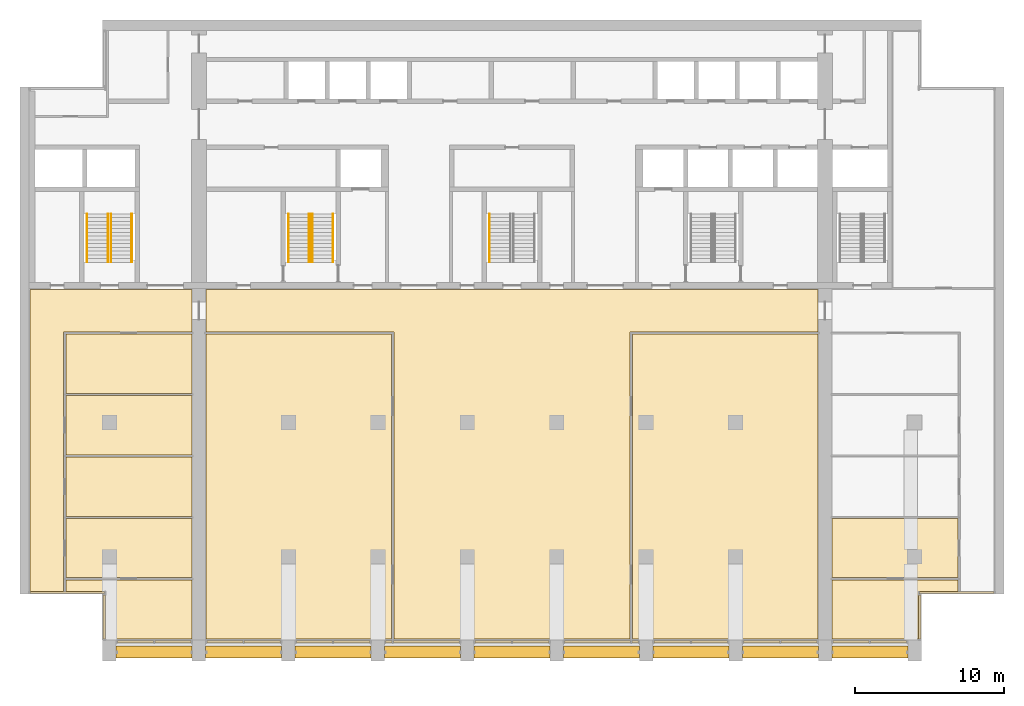
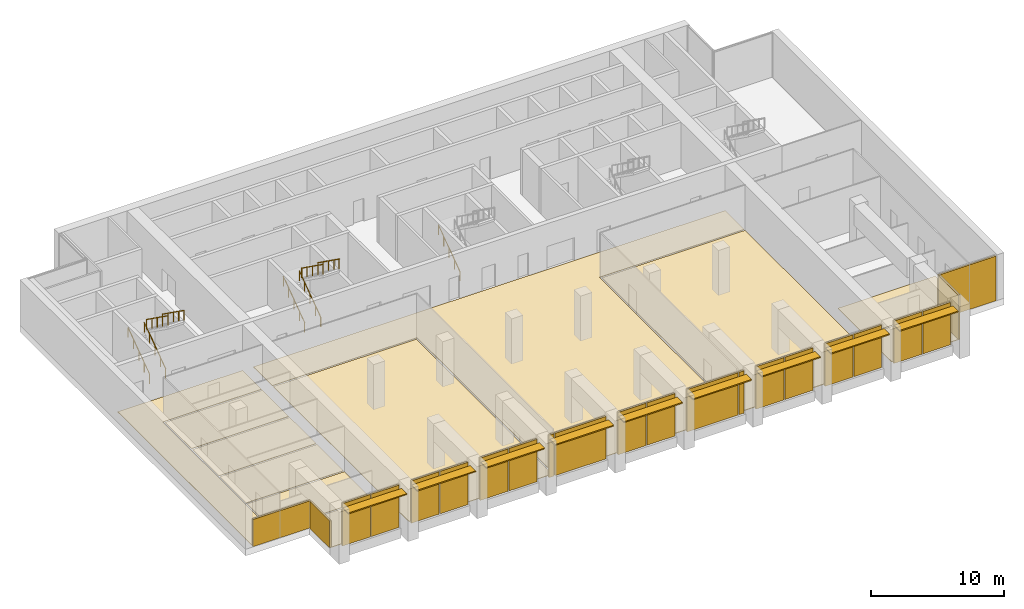
# One storey, part 12 of 13: 31 shading devices, 11 coverings, 9 railings, 16 elements without a shape of their own.
"""IFC4 building model written with IfcOpenShell, lengths in metres."""

from ifc_helpers import new_model, si_unit, direction, frame, origin, origin_2d, place, context, subcontext, project, spatial, polyline, rectangle, circle, outline, extrude, material, layer, layer_set, material_profile, profile_set, type_object, element, aggregate, save


model = new_model("IFC4")

# Units and contexts
model_context = context("Model", 3, precision=1e-05, world=origin(), true_north=direction((0.0, 1.0)))
body_context = subcontext(model_context, "Body", "Model", "MODEL_VIEW")
ifc_project = project(units=[si_unit("LENGTHUNIT", "METRE"), si_unit("AREAUNIT", "SQUARE_METRE"), si_unit("VOLUMEUNIT", "CUBIC_METRE"), si_unit("PLANEANGLEUNIT", "RADIAN"), si_unit("MASSUNIT", "GRAM", prefix="KILO")], contexts=[model_context])

# Site, building, storey
site_placement = place(None, origin())
site = spatial("IfcSite", under=ifc_project, at=site_placement, CompositionType="ELEMENT")
building_placement = place(site_placement, origin())
building = spatial("IfcBuilding", under=site, at=building_placement, Name="Calvaro Tower", CompositionType="ELEMENT")
storey_placement = place(building_placement, frame((0.0, 0.0, 226.75)))
storey = spatial("IfcBuildingStorey", under=building, at=storey_placement, Name="L57", CompositionType="ELEMENT", Elevation=226.75)

# Shading devices
ifc_material_1 = material(Name="Anodised aluminium", Category="aluminium")
ifc_material_profile = material_profile(ifc_material_1, rectangle(XDim=0.800048828125, YDim=0.10009765625, at=origin_2d()), Name="Brise-soleil blade 800 x 100")
ifc_profile_set = profile_set([ifc_material_profile], Name="Anodised aluminium")
shading_device_type_1 = type_object("IfcShadingDeviceType", Name="Brise-soleil blade 800 x 100", PredefinedType="JALOUSIE", material=ifc_profile_set)
for number, where, z_axis, x_axis, name in (
    (1, (12.449951171875, 3.60009765625, 3.64990234375), (1.0, 0.0, 0.0), (0.0, 1.0, 0.0), "Brise-soleil blade 1"),
    (2, (18.449951171875, 3.60009765625, 3.64990234375), (1.0, 0.0, 0.0), (0.0, 1.0, 0.0), "Brise-soleil blade 2"),
    (3, (24.449951171875, 3.60009765625, 3.64990234375), (1.0, 0.0, 0.0), (0.0, 1.0, 0.0), "Brise-soleil blade 3"),
    (4, (30.449951171875, 3.60009765625, 3.64990234375), (1.0, 0.0, 0.0), (0.0, 1.0, 0.0), "Brise-soleil blade 4"),
    (5, (36.449951171875, 3.60009765625, 3.64990234375), (1.0, 0.0, 0.0), (0.0, 1.0, 0.0), "Brise-soleil blade 5"),
    (6, (42.449951171875, 3.60009765625, 3.64990234375), (1.0, 0.0, 0.0), (0.0, 1.0, 0.0), "Brise-soleil blade 6"),
    (7, (48.449951171875, 3.60009765625, 3.64990234375), (1.0, 0.0, 0.0), (0.0, 1.0, 0.0), "Brise-soleil blade 7"),
    (8, (54.449951171875, 3.60009765625, 3.64990234375), (1.0, 0.0, 0.0), (0.0, 1.0, 0.0), "Brise-soleil blade 8"),
    (9, (60.449951171875, 3.60009765625, 3.64990234375), (1.0, 0.0, 0.0), (0.0, 1.0, 0.0), "Brise-soleil blade 9"),
):
    element("IfcShadingDevice", number, at=place(storey_placement, frame(where, z_axis=z_axis, x_axis=x_axis)), inside=storey, type_object=shading_device_type_1, Name=name, PredefinedType="JALOUSIE", context=body_context, shape_type="SweptSolid", body=[
        extrude(rectangle(XDim=0.800048828125, YDim=0.10009765625, at=origin_2d()), origin(), (0.0, 0.0, 1.0), 5.10009765625),
    ])

# Coverings
ifc_material_2 = material(Name="Cement screed with carpet tile finish")
ifc_layer_1 = layer(ifc_material_2, 0.050048828125)
ifc_layer_set_1 = layer_set([ifc_layer_1], Name="Cement screed with carpet tile finish")
covering_type = type_object("IfcCoveringType", Name="Floor finish 50", PredefinedType="FLOORING", material=ifc_layer_set_1)
covering_1_placement = place(storey_placement, origin())
element("IfcCovering", 10, at=covering_1_placement, inside=storey, type_object=covering_type, Name="Floor finish 33.01", PredefinedType="FLOORING", context=body_context, shape_type="SweptSolid", body=[
    extrude(outline(polyline([(31.070068359375, 4.469970703125), (31.070068359375, 25.070068359375), (18.469970703125, 25.070068359375), (18.469970703125, 27.929931640625), (59.530029296875, 27.929931640625), (59.530029296875, 25.070068359375), (46.929931640625, 25.070068359375), (46.929931640625, 4.469970703125), (31.070068359375, 4.469970703125)])), origin(), (0.0, 0.0, 1.0), 0.050048828125),
])
covering_2_placement = place(storey_placement, origin())
element("IfcCovering", 11, at=covering_2_placement, inside=storey, type_object=covering_type, Name="Floor finish 33.09", PredefinedType="FLOORING", context=body_context, shape_type="SweptSolid", body=[
    extrude(outline(polyline([(18.469970703125, 24.929931640625), (30.929931640625, 24.929931640625), (30.929931640625, 4.469970703125), (18.469970703125, 4.469970703125), (18.469970703125, 24.929931640625)])), origin(), (0.0, 0.0, 1.0), 0.050048828125),
])
covering_3_placement = place(storey_placement, origin())
element("IfcCovering", 12, at=covering_3_placement, inside=storey, type_object=covering_type, Name="Floor finish 33.10", PredefinedType="FLOORING", context=body_context, shape_type="SweptSolid", body=[
    extrude(outline(polyline([(47.070068359375, 24.929931640625), (59.530029296875, 24.929931640625), (59.530029296875, 4.469970703125), (47.070068359375, 4.469970703125), (47.070068359375, 24.929931640625)])), origin(), (0.0, 0.0, 1.0), 0.050048828125),
])
covering_4_placement = place(storey_placement, origin())
element("IfcCovering", 13, at=covering_4_placement, inside=storey, type_object=covering_type, Name="Floor finish 33.02", PredefinedType="FLOORING", context=body_context, shape_type="SweptSolid", body=[
    extrude(outline(polyline([(6.669921875, 27.929931640625), (17.530029296875, 27.929931640625), (17.530029296875, 25.070068359375), (8.929931640625, 25.070068359375), (8.929931640625, 7.570068359375), (6.669921875, 7.570068359375), (6.669921875, 27.929931640625)])), origin(), (0.0, 0.0, 1.0), 0.050048828125),
])
covering_5_placement = place(storey_placement, origin())
element("IfcCovering", 14, at=covering_5_placement, inside=storey, type_object=covering_type, Name="Floor finish 33.04", PredefinedType="FLOORING", context=body_context, shape_type="SweptSolid", body=[
    extrude(outline(polyline([(9.070068359375, 8.449951171875), (17.530029296875, 8.449951171875), (17.530029296875, 4.469970703125), (11.6201171875, 4.469970703125), (11.6201171875, 7.570068359375), (9.070068359375, 7.570068359375), (9.070068359375, 8.449951171875)])), origin(), (0.0, 0.0, 1.0), 0.050048828125),
])
covering_6_placement = place(storey_placement, origin())
element("IfcCovering", 15, at=covering_6_placement, inside=storey, type_object=covering_type, Name="Floor finish 33.06", PredefinedType="FLOORING", context=body_context, shape_type="SweptSolid", body=[
    extrude(outline(polyline([(9.070068359375, 8.590087890625), (9.070068359375, 12.570068359375), (17.530029296875, 12.570068359375), (17.530029296875, 8.590087890625), (9.070068359375, 8.590087890625)])), origin(), (0.0, 0.0, 1.0), 0.050048828125),
])
covering_7_placement = place(storey_placement, origin())
element("IfcCovering", 16, at=covering_7_placement, inside=storey, type_object=covering_type, Name="Floor finish 33.08", PredefinedType="FLOORING", context=body_context, shape_type="SweptSolid", body=[
    extrude(outline(polyline([(9.070068359375, 12.7099609375), (9.070068359375, 16.68994140625), (17.530029296875, 16.68994140625), (17.530029296875, 12.7099609375), (9.070068359375, 12.7099609375)])), origin(), (0.0, 0.0, 1.0), 0.050048828125),
])
covering_8_placement = place(storey_placement, origin())
element("IfcCovering", 17, at=covering_8_placement, inside=storey, type_object=covering_type, Name="Floor finish 33.12", PredefinedType="FLOORING", context=body_context, shape_type="SweptSolid", body=[
    extrude(outline(polyline([(9.070068359375, 16.830078125), (9.070068359375, 20.81005859375), (17.530029296875, 20.81005859375), (17.530029296875, 16.830078125), (9.070068359375, 16.830078125)])), origin(), (0.0, 0.0, 1.0), 0.050048828125),
])
covering_9_placement = place(storey_placement, origin())
element("IfcCovering", 18, at=covering_9_placement, inside=storey, type_object=covering_type, Name="Floor finish 33.14", PredefinedType="FLOORING", context=body_context, shape_type="SweptSolid", body=[
    extrude(outline(polyline([(9.070068359375, 20.949951171875), (9.070068359375, 24.929931640625), (17.530029296875, 24.929931640625), (17.530029296875, 20.949951171875), (9.070068359375, 20.949951171875)])), origin(), (0.0, 0.0, 1.0), 0.050048828125),
])
covering_10_placement = place(storey_placement, origin())
element("IfcCovering", 19, at=covering_10_placement, inside=storey, type_object=covering_type, Name="Floor finish 33.05", PredefinedType="FLOORING", context=body_context, shape_type="SweptSolid", body=[
    extrude(outline(polyline([(60.469970703125, 8.449951171875), (68.929931640625, 8.449951171875), (68.929931640625, 7.570068359375), (66.3798828125, 7.570068359375), (66.3798828125, 4.469970703125), (60.469970703125, 4.469970703125), (60.469970703125, 8.449951171875)])), origin(), (0.0, 0.0, 1.0), 0.050048828125),
])
covering_11_placement = place(storey_placement, origin())
element("IfcCovering", 20, at=covering_11_placement, inside=storey, type_object=covering_type, Name="Floor finish 33.07", PredefinedType="FLOORING", context=body_context, shape_type="SweptSolid", body=[
    extrude(outline(polyline([(60.469970703125, 8.590087890625), (60.469970703125, 12.570068359375), (68.929931640625, 12.570068359375), (68.929931640625, 8.590087890625), (60.469970703125, 8.590087890625)])), origin(), (0.0, 0.0, 1.0), 0.050048828125),
])

# Curtain wall, shading devices
ifc_material_3 = material(Name="Anodised aluminium", Category="aluminium")
curtain_wall_type = type_object("IfcCurtainWallType", Name="Louvre wall", PredefinedType="NOTDEFINED", material=ifc_material_3)
curtain_wall_1_placement = place(storey_placement, origin())
curtain_wall_1 = element("IfcCurtainWall", 21, at=curtain_wall_1_placement, inside=storey, type_object=curtain_wall_type, Name="CW8 south louvre wall", PredefinedType="NOTDEFINED")
ifc_material_4 = material(Name="Aluminium", Category="aluminium")
ifc_layer_2 = layer(ifc_material_4, 0.14990234375)
ifc_layer_set_2 = layer_set([ifc_layer_2], Name="Aluminium")
shading_device_type_2 = type_object("IfcShadingDeviceType", Name="Louvre panel LV 150", PredefinedType="JALOUSIE", material=ifc_layer_set_2)
shading_device_1_placement = place(storey_placement, frame((13.7451171875, 4.300048828125, 0.0), z_axis=(0.0, 0.0, 1.0), x_axis=(1.0, 0.0, 0.0)))
shading_device_1 = element("IfcShadingDevice", 22, at=shading_device_1_placement, type_object=shading_device_type_2, Name="CW8 louvre panel 1.1", PredefinedType="JALOUSIE", context=body_context, shape_type="SweptSolid", body=[
    extrude(rectangle(XDim=2.429931640625, YDim=0.14990234375, at=origin_2d()), origin(), (0.0, 0.0, 1.0), 3.89990234375),
])
shading_device_2_placement = place(storey_placement, frame((16.2548828125, 4.300048828125, 0.0), z_axis=(0.0, 0.0, 1.0), x_axis=(1.0, 0.0, 0.0)))
shading_device_2 = element("IfcShadingDevice", 23, at=shading_device_2_placement, type_object=shading_device_type_2, Name="CW8 louvre panel 2.1", PredefinedType="JALOUSIE", context=body_context, shape_type="SweptSolid", body=[
    extrude(rectangle(XDim=2.429931640625, YDim=0.14990234375, at=origin_2d()), origin(), (0.0, 0.0, 1.0), 3.89990234375),
])
aggregate(curtain_wall_1, [shading_device_1, shading_device_2])

curtain_wall_2_placement = place(storey_placement, origin())
curtain_wall_2 = element("IfcCurtainWall", 24, at=curtain_wall_2_placement, inside=storey, type_object=curtain_wall_type, Name="CW8 south louvre wall", PredefinedType="NOTDEFINED")
shading_device_3_placement = place(storey_placement, frame((19.7451171875, 4.300048828125, 0.0), z_axis=(0.0, 0.0, 1.0), x_axis=(1.0, 0.0, 0.0)))
shading_device_3 = element("IfcShadingDevice", 25, at=shading_device_3_placement, type_object=shading_device_type_2, Name="CW8 louvre panel 1.1", PredefinedType="JALOUSIE", context=body_context, shape_type="SweptSolid", body=[
    extrude(rectangle(XDim=2.429931640625, YDim=0.14990234375, at=origin_2d()), origin(), (0.0, 0.0, 1.0), 3.89990234375),
])
shading_device_4_placement = place(storey_placement, frame((22.2548828125, 4.300048828125, 0.0), z_axis=(0.0, 0.0, 1.0), x_axis=(1.0, 0.0, 0.0)))
shading_device_4 = element("IfcShadingDevice", 26, at=shading_device_4_placement, type_object=shading_device_type_2, Name="CW8 louvre panel 2.1", PredefinedType="JALOUSIE", context=body_context, shape_type="SweptSolid", body=[
    extrude(rectangle(XDim=2.429931640625, YDim=0.14990234375, at=origin_2d()), origin(), (0.0, 0.0, 1.0), 3.89990234375),
])
aggregate(curtain_wall_2, [shading_device_3, shading_device_4])

curtain_wall_3_placement = place(storey_placement, origin())
curtain_wall_3 = element("IfcCurtainWall", 27, at=curtain_wall_3_placement, inside=storey, type_object=curtain_wall_type, Name="CW8 south louvre wall", PredefinedType="NOTDEFINED")
shading_device_5_placement = place(storey_placement, frame((25.7451171875, 4.300048828125, 0.0), z_axis=(0.0, 0.0, 1.0), x_axis=(1.0, 0.0, 0.0)))
shading_device_5 = element("IfcShadingDevice", 28, at=shading_device_5_placement, type_object=shading_device_type_2, Name="CW8 louvre panel 1.1", PredefinedType="JALOUSIE", context=body_context, shape_type="SweptSolid", body=[
    extrude(rectangle(XDim=2.429931640625, YDim=0.14990234375, at=origin_2d()), origin(), (0.0, 0.0, 1.0), 3.89990234375),
])
shading_device_6_placement = place(storey_placement, frame((28.2548828125, 4.300048828125, 0.0), z_axis=(0.0, 0.0, 1.0), x_axis=(1.0, 0.0, 0.0)))
shading_device_6 = element("IfcShadingDevice", 29, at=shading_device_6_placement, type_object=shading_device_type_2, Name="CW8 louvre panel 2.1", PredefinedType="JALOUSIE", context=body_context, shape_type="SweptSolid", body=[
    extrude(rectangle(XDim=2.429931640625, YDim=0.14990234375, at=origin_2d()), origin(), (0.0, 0.0, 1.0), 3.89990234375),
])
aggregate(curtain_wall_3, [shading_device_5, shading_device_6])

curtain_wall_4_placement = place(storey_placement, origin())
curtain_wall_4 = element("IfcCurtainWall", 30, at=curtain_wall_4_placement, inside=storey, type_object=curtain_wall_type, Name="CW8 south louvre wall", PredefinedType="NOTDEFINED")
shading_device_7_placement = place(storey_placement, frame((30.7451171875, 4.300048828125, 0.0), z_axis=(0.0, 0.0, 1.0), x_axis=(1.0, 0.0, 0.0)))
shading_device_7 = element("IfcShadingDevice", 31, at=shading_device_7_placement, type_object=shading_device_type_2, Name="CW8 louvre panel 1.1", PredefinedType="JALOUSIE", context=body_context, shape_type="SweptSolid", body=[
    extrude(rectangle(XDim=0.429931640625, YDim=0.14990234375, at=origin_2d()), origin(), (0.0, 0.0, 1.0), 3.89990234375),
])
shading_device_8_placement = place(storey_placement, frame((33.2548828125, 4.300048828125, 0.0), z_axis=(0.0, 0.0, 1.0), x_axis=(1.0, 0.0, 0.0)))
shading_device_8 = element("IfcShadingDevice", 32, at=shading_device_8_placement, type_object=shading_device_type_2, Name="CW8 louvre panel 2.1", PredefinedType="JALOUSIE", context=body_context, shape_type="SweptSolid", body=[
    extrude(rectangle(XDim=4.429931640625, YDim=0.14990234375, at=origin_2d()), origin(), (0.0, 0.0, 1.0), 3.89990234375),
])
aggregate(curtain_wall_4, [shading_device_7, shading_device_8])

curtain_wall_5_placement = place(storey_placement, origin())
curtain_wall_5 = element("IfcCurtainWall", 33, at=curtain_wall_5_placement, inside=storey, type_object=curtain_wall_type, Name="CW8 south louvre wall", PredefinedType="NOTDEFINED")
shading_device_9_placement = place(storey_placement, frame((37.7451171875, 4.300048828125, 0.0), z_axis=(0.0, 0.0, 1.0), x_axis=(1.0, 0.0, 0.0)))
shading_device_9 = element("IfcShadingDevice", 34, at=shading_device_9_placement, type_object=shading_device_type_2, Name="CW8 louvre panel 1.1", PredefinedType="JALOUSIE", context=body_context, shape_type="SweptSolid", body=[
    extrude(rectangle(XDim=2.429931640625, YDim=0.14990234375, at=origin_2d()), origin(), (0.0, 0.0, 1.0), 3.89990234375),
])
shading_device_10_placement = place(storey_placement, frame((40.2548828125, 4.300048828125, 0.0), z_axis=(0.0, 0.0, 1.0), x_axis=(1.0, 0.0, 0.0)))
shading_device_10 = element("IfcShadingDevice", 35, at=shading_device_10_placement, type_object=shading_device_type_2, Name="CW8 louvre panel 2.1", PredefinedType="JALOUSIE", context=body_context, shape_type="SweptSolid", body=[
    extrude(rectangle(XDim=2.429931640625, YDim=0.14990234375, at=origin_2d()), origin(), (0.0, 0.0, 1.0), 3.89990234375),
])
aggregate(curtain_wall_5, [shading_device_9, shading_device_10])

curtain_wall_6_placement = place(storey_placement, origin())
curtain_wall_6 = element("IfcCurtainWall", 36, at=curtain_wall_6_placement, inside=storey, type_object=curtain_wall_type, Name="CW8 south louvre wall", PredefinedType="NOTDEFINED")
shading_device_11_placement = place(storey_placement, frame((44.7451171875, 4.300048828125, 0.0), z_axis=(0.0, 0.0, 1.0), x_axis=(1.0, 0.0, 0.0)))
shading_device_11 = element("IfcShadingDevice", 37, at=shading_device_11_placement, type_object=shading_device_type_2, Name="CW8 louvre panel 1.1", PredefinedType="JALOUSIE", context=body_context, shape_type="SweptSolid", body=[
    extrude(rectangle(XDim=4.429931640625, YDim=0.14990234375, at=origin_2d()), origin(), (0.0, 0.0, 1.0), 3.89990234375),
])
shading_device_12_placement = place(storey_placement, frame((47.2548828125, 4.300048828125, 0.0), z_axis=(0.0, 0.0, 1.0), x_axis=(1.0, 0.0, 0.0)))
shading_device_12 = element("IfcShadingDevice", 38, at=shading_device_12_placement, type_object=shading_device_type_2, Name="CW8 louvre panel 2.1", PredefinedType="JALOUSIE", context=body_context, shape_type="SweptSolid", body=[
    extrude(rectangle(XDim=0.429931640625, YDim=0.14990234375, at=origin_2d()), origin(), (0.0, 0.0, 1.0), 3.89990234375),
])
aggregate(curtain_wall_6, [shading_device_11, shading_device_12])

curtain_wall_7_placement = place(storey_placement, origin())
curtain_wall_7 = element("IfcCurtainWall", 39, at=curtain_wall_7_placement, inside=storey, type_object=curtain_wall_type, Name="CW8 south louvre wall", PredefinedType="NOTDEFINED")
shading_device_13_placement = place(storey_placement, frame((49.7451171875, 4.300048828125, 0.0), z_axis=(0.0, 0.0, 1.0), x_axis=(1.0, 0.0, 0.0)))
shading_device_13 = element("IfcShadingDevice", 40, at=shading_device_13_placement, type_object=shading_device_type_2, Name="CW8 louvre panel 1.1", PredefinedType="JALOUSIE", context=body_context, shape_type="SweptSolid", body=[
    extrude(rectangle(XDim=2.429931640625, YDim=0.14990234375, at=origin_2d()), origin(), (0.0, 0.0, 1.0), 3.89990234375),
])
shading_device_14_placement = place(storey_placement, frame((52.2548828125, 4.300048828125, 0.0), z_axis=(0.0, 0.0, 1.0), x_axis=(1.0, 0.0, 0.0)))
shading_device_14 = element("IfcShadingDevice", 41, at=shading_device_14_placement, type_object=shading_device_type_2, Name="CW8 louvre panel 2.1", PredefinedType="JALOUSIE", context=body_context, shape_type="SweptSolid", body=[
    extrude(rectangle(XDim=2.429931640625, YDim=0.14990234375, at=origin_2d()), origin(), (0.0, 0.0, 1.0), 3.89990234375),
])
aggregate(curtain_wall_7, [shading_device_13, shading_device_14])

curtain_wall_8_placement = place(storey_placement, origin())
curtain_wall_8 = element("IfcCurtainWall", 42, at=curtain_wall_8_placement, inside=storey, type_object=curtain_wall_type, Name="CW8 south louvre wall", PredefinedType="NOTDEFINED")
shading_device_15_placement = place(storey_placement, frame((55.7451171875, 4.300048828125, 0.0), z_axis=(0.0, 0.0, 1.0), x_axis=(1.0, 0.0, 0.0)))
shading_device_15 = element("IfcShadingDevice", 43, at=shading_device_15_placement, type_object=shading_device_type_2, Name="CW8 louvre panel 1.1", PredefinedType="JALOUSIE", context=body_context, shape_type="SweptSolid", body=[
    extrude(rectangle(XDim=2.429931640625, YDim=0.14990234375, at=origin_2d()), origin(), (0.0, 0.0, 1.0), 3.89990234375),
])
shading_device_16_placement = place(storey_placement, frame((58.2548828125, 4.300048828125, 0.0), z_axis=(0.0, 0.0, 1.0), x_axis=(1.0, 0.0, 0.0)))
shading_device_16 = element("IfcShadingDevice", 44, at=shading_device_16_placement, type_object=shading_device_type_2, Name="CW8 louvre panel 2.1", PredefinedType="JALOUSIE", context=body_context, shape_type="SweptSolid", body=[
    extrude(rectangle(XDim=2.429931640625, YDim=0.14990234375, at=origin_2d()), origin(), (0.0, 0.0, 1.0), 3.89990234375),
])
aggregate(curtain_wall_8, [shading_device_15, shading_device_16])

curtain_wall_9_placement = place(storey_placement, origin())
curtain_wall_9 = element("IfcCurtainWall", 45, at=curtain_wall_9_placement, inside=storey, type_object=curtain_wall_type, Name="CW8 south louvre wall", PredefinedType="NOTDEFINED")
shading_device_17_placement = place(storey_placement, frame((61.7451171875, 4.300048828125, 0.0), z_axis=(0.0, 0.0, 1.0), x_axis=(1.0, 0.0, 0.0)))
shading_device_17 = element("IfcShadingDevice", 46, at=shading_device_17_placement, type_object=shading_device_type_2, Name="CW8 louvre panel 1.1", PredefinedType="JALOUSIE", context=body_context, shape_type="SweptSolid", body=[
    extrude(rectangle(XDim=2.429931640625, YDim=0.14990234375, at=origin_2d()), origin(), (0.0, 0.0, 1.0), 3.89990234375),
])
shading_device_18_placement = place(storey_placement, frame((64.2548828125, 4.300048828125, 0.0), z_axis=(0.0, 0.0, 1.0), x_axis=(1.0, 0.0, 0.0)))
shading_device_18 = element("IfcShadingDevice", 47, at=shading_device_18_placement, type_object=shading_device_type_2, Name="CW8 louvre panel 2.1", PredefinedType="JALOUSIE", context=body_context, shape_type="SweptSolid", body=[
    extrude(rectangle(XDim=2.429931640625, YDim=0.14990234375, at=origin_2d()), origin(), (0.0, 0.0, 1.0), 3.89990234375),
])
aggregate(curtain_wall_9, [shading_device_17, shading_device_18])

# Curtain wall, shading device
curtain_wall_10_placement = place(storey_placement, origin())
curtain_wall_10 = element("IfcCurtainWall", 48, at=curtain_wall_10_placement, inside=storey, type_object=curtain_wall_type, Name="CW8 corner curtain wall", PredefinedType="NOTDEFINED")
shading_device_19_placement = place(storey_placement, frame((11.64990234375, 5.949951171875, 0.0), z_axis=(0.0, 0.0, 1.0), x_axis=(0.0, 1.0, 0.0)))
shading_device_19 = element("IfcShadingDevice", 49, at=shading_device_19_placement, type_object=shading_device_type_2, Name="CW8 louvre panel 1.1", PredefinedType="JALOUSIE", context=body_context, shape_type="SweptSolid", body=[
    extrude(rectangle(XDim=2.93994140625, YDim=0.14990234375, at=origin_2d()), origin(), (0.0, 0.0, 1.0), 2.4990234375),
])
aggregate(curtain_wall_10, [shading_device_19])

curtain_wall_11_placement = place(storey_placement, origin())
curtain_wall_11 = element("IfcCurtainWall", 50, at=curtain_wall_11_placement, inside=storey, type_object=curtain_wall_type, Name="CW8 corner curtain wall", PredefinedType="NOTDEFINED")
shading_device_20_placement = place(storey_placement, frame((9.175048828125, 7.60009765625, 0.0), z_axis=(0.0, 0.0, 1.0), x_axis=(1.0, 0.0, 0.0)))
shading_device_20 = element("IfcShadingDevice", 51, at=shading_device_20_placement, type_object=shading_device_type_2, Name="CW8 louvre panel 1.1", PredefinedType="JALOUSIE", context=body_context, shape_type="SweptSolid", body=[
    extrude(rectangle(XDim=4.989990234375, YDim=0.14990234375, at=origin_2d()), origin(), (0.0, 0.0, 1.0), 2.4990234375),
])
aggregate(curtain_wall_11, [shading_device_20])

curtain_wall_12_placement = place(storey_placement, origin())
curtain_wall_12 = element("IfcCurtainWall", 52, at=curtain_wall_12_placement, inside=storey, type_object=curtain_wall_type, Name="CW8 corner curtain wall", PredefinedType="NOTDEFINED")
shading_device_21_placement = place(storey_placement, frame((66.35009765625, 5.949951171875, 0.0), z_axis=(0.0, 0.0, 1.0), x_axis=(0.0, 1.0, 0.0)))
shading_device_21 = element("IfcShadingDevice", 53, at=shading_device_21_placement, type_object=shading_device_type_2, Name="CW8 louvre panel 1.1", PredefinedType="JALOUSIE", context=body_context, shape_type="SweptSolid", body=[
    extrude(rectangle(XDim=2.93994140625, YDim=0.14990234375, at=origin_2d()), origin(), (0.0, 0.0, 1.0), 4.10009765625),
])
aggregate(curtain_wall_12, [shading_device_21])

curtain_wall_13_placement = place(storey_placement, origin())
curtain_wall_13 = element("IfcCurtainWall", 54, at=curtain_wall_13_placement, inside=storey, type_object=curtain_wall_type, Name="CW8 corner curtain wall", PredefinedType="NOTDEFINED")
shading_device_22_placement = place(storey_placement, frame((68.824951171875, 7.60009765625, 0.0), z_axis=(0.0, 0.0, 1.0), x_axis=(1.0, 0.0, 0.0)))
shading_device_22 = element("IfcShadingDevice", 55, at=shading_device_22_placement, type_object=shading_device_type_2, Name="CW8 louvre panel 1.1", PredefinedType="JALOUSIE", context=body_context, shape_type="SweptSolid", body=[
    extrude(rectangle(XDim=4.989990234375, YDim=0.14990234375, at=origin_2d()), origin(), (0.0, 0.0, 1.0), 4.10009765625),
])
aggregate(curtain_wall_13, [shading_device_22])

# Stair, railings
ifc_material_5 = material(Name="Concrete C40/50", Category="concrete")
stair_type = type_object("IfcStairType", Name="Exit stair 1400 2 flights", PredefinedType="HALF_TURN_STAIR", material=ifc_material_5)
stair_1_placement = place(storey_placement, origin())
stair_1 = element("IfcStair", 56, at=stair_1_placement, inside=storey, type_object=stair_type, Name="Exit stair S1", PredefinedType="HALF_TURN_STAIR")
ifc_material_6 = material(Name="Stainless steel", Category="steel")
railing_type = type_object("IfcRailingType", Name="Stair handrail", PredefinedType="HANDRAIL", material=ifc_material_6)
railing_1_placement = place(storey_placement, frame((11.89990234375, 29.75, 0.178466796875)))
railing_1 = element("IfcRailing", 57, at=railing_1_placement, type_object=railing_type, Name="Exit stair 1 handrail", PredefinedType="HANDRAIL", context=body_context, shape_type="SweptSolid", body=[
    extrude(circle(Radius=0.02392578125, at=origin_2d()), frame((0.0, 0.0, 0.8759765625), z_axis=(0.0, 0.813721080437, 0.581255540405), x_axis=(-1.0, 0.0, 0.0)), (0.0, 0.0, 1.0), 3.993896484375),
    extrude(circle(Radius=0.02099609375, at=origin_2d()), frame((0.0, 0.01708984375, 0.01220703125)), (0.0, 0.0, 1.0), 0.851806640625),
    extrude(circle(Radius=0.02099609375, at=origin_2d()), frame((0.0, 0.8125, 0.580322265625)), (0.0, 0.0, 1.0), 0.851806640625),
    extrude(circle(Radius=0.02099609375, at=origin_2d()), frame((0.0, 1.625, 1.16064453125)), (0.0, 0.0, 1.0), 0.851806640625),
    extrude(circle(Radius=0.02099609375, at=origin_2d()), frame((0.0, 2.4375, 1.7412109375)), (0.0, 0.0, 1.0), 0.851806640625),
    extrude(circle(Radius=0.02099609375, at=origin_2d()), frame((0.0, 3.23291015625, 2.309326171875)), (0.0, 0.0, 1.0), 0.851806640625),
])
railing_2_placement = place(storey_placement, frame((10.5, 29.75, 0.178466796875)))
railing_2 = element("IfcRailing", 58, at=railing_2_placement, type_object=railing_type, Name="Exit stair 1 handrail", PredefinedType="HANDRAIL", context=body_context, shape_type="SweptSolid", body=[
    extrude(circle(Radius=0.02392578125, at=origin_2d()), frame((0.0, 0.0, 0.8759765625), z_axis=(0.0, 0.813721080437, 0.581255540405), x_axis=(-1.0, 0.0, 0.0)), (0.0, 0.0, 1.0), 3.993896484375),
    extrude(circle(Radius=0.02099609375, at=origin_2d()), frame((0.0, 0.01708984375, 0.01220703125)), (0.0, 0.0, 1.0), 0.851806640625),
    extrude(circle(Radius=0.02099609375, at=origin_2d()), frame((0.0, 0.8125, 0.580322265625)), (0.0, 0.0, 1.0), 0.851806640625),
    extrude(circle(Radius=0.02099609375, at=origin_2d()), frame((0.0, 1.625, 1.16064453125)), (0.0, 0.0, 1.0), 0.851806640625),
    extrude(circle(Radius=0.02099609375, at=origin_2d()), frame((0.0, 2.4375, 1.7412109375)), (0.0, 0.0, 1.0), 0.851806640625),
    extrude(circle(Radius=0.02099609375, at=origin_2d()), frame((0.0, 3.23291015625, 2.309326171875)), (0.0, 0.0, 1.0), 0.851806640625),
])
railing_3_placement = place(storey_placement, frame((12.10009765625, 33.0, 2.678466796875)))
railing_3 = element("IfcRailing", 59, at=railing_3_placement, type_object=railing_type, Name="Exit stair 1 handrail", PredefinedType="HANDRAIL", context=body_context, shape_type="SweptSolid", body=[
    extrude(circle(Radius=0.02392578125, at=origin_2d()), frame((0.0, 0.0, 0.8759765625), z_axis=(0.0, -0.813721080437, 0.581255540405), x_axis=(1.0, 0.0, 0.0)), (0.0, 0.0, 1.0), 3.993896484375),
    extrude(circle(Radius=0.02099609375, at=origin_2d()), frame((0.0, -0.01708984375, 0.01220703125)), (0.0, 0.0, 1.0), 0.851806640625),
    extrude(circle(Radius=0.02099609375, at=origin_2d()), frame((0.0, -0.8125, 0.580322265625)), (0.0, 0.0, 1.0), 0.851806640625),
    extrude(circle(Radius=0.02099609375, at=origin_2d()), frame((0.0, -1.625, 1.16064453125)), (0.0, 0.0, 1.0), 0.851806640625),
    extrude(circle(Radius=0.02099609375, at=origin_2d()), frame((0.0, -2.4375, 1.7412109375)), (0.0, 0.0, 1.0), 0.851806640625),
    extrude(circle(Radius=0.02099609375, at=origin_2d()), frame((0.0, -3.23291015625, 2.309326171875)), (0.0, 0.0, 1.0), 0.851806640625),
])
railing_4_placement = place(storey_placement, frame((13.5, 33.0, 2.678466796875)))
railing_4 = element("IfcRailing", 60, at=railing_4_placement, type_object=railing_type, Name="Exit stair 1 handrail", PredefinedType="HANDRAIL", context=body_context, shape_type="SweptSolid", body=[
    extrude(circle(Radius=0.02392578125, at=origin_2d()), frame((0.0, 0.0, 0.8759765625), z_axis=(0.0, -0.813721080437, 0.581255540405), x_axis=(1.0, 0.0, 0.0)), (0.0, 0.0, 1.0), 3.993896484375),
    extrude(circle(Radius=0.02099609375, at=origin_2d()), frame((0.0, -0.01708984375, 0.01220703125)), (0.0, 0.0, 1.0), 0.851806640625),
    extrude(circle(Radius=0.02099609375, at=origin_2d()), frame((0.0, -0.8125, 0.580322265625)), (0.0, 0.0, 1.0), 0.851806640625),
    extrude(circle(Radius=0.02099609375, at=origin_2d()), frame((0.0, -1.625, 1.16064453125)), (0.0, 0.0, 1.0), 0.851806640625),
    extrude(circle(Radius=0.02099609375, at=origin_2d()), frame((0.0, -2.4375, 1.7412109375)), (0.0, 0.0, 1.0), 0.851806640625),
    extrude(circle(Radius=0.02099609375, at=origin_2d()), frame((0.0, -3.23291015625, 2.309326171875)), (0.0, 0.0, 1.0), 0.851806640625),
])
aggregate(stair_1, [railing_1, railing_2, railing_3, railing_4])

stair_2_placement = place(storey_placement, origin())
stair_2 = element("IfcStair", 61, at=stair_2_placement, inside=storey, type_object=stair_type, Name="Exit stair S2", PredefinedType="HALF_TURN_STAIR")
railing_5_placement = place(storey_placement, frame((25.39990234375, 29.75, 0.178466796875)))
railing_5 = element("IfcRailing", 62, at=railing_5_placement, type_object=railing_type, Name="Exit stair 2 handrail", PredefinedType="HANDRAIL", context=body_context, shape_type="SweptSolid", body=[
    extrude(circle(Radius=0.02392578125, at=origin_2d()), frame((0.0, 0.0, 0.8759765625), z_axis=(0.0, 0.813721080437, 0.581255540405), x_axis=(-1.0, 0.0, 0.0)), (0.0, 0.0, 1.0), 3.993896484375),
    extrude(circle(Radius=0.02099609375, at=origin_2d()), frame((0.0, 0.01708984375, 0.01220703125)), (0.0, 0.0, 1.0), 0.851806640625),
    extrude(circle(Radius=0.02099609375, at=origin_2d()), frame((0.0, 0.8125, 0.580322265625)), (0.0, 0.0, 1.0), 0.851806640625),
    extrude(circle(Radius=0.02099609375, at=origin_2d()), frame((0.0, 1.625, 1.16064453125)), (0.0, 0.0, 1.0), 0.851806640625),
    extrude(circle(Radius=0.02099609375, at=origin_2d()), frame((0.0, 2.4375, 1.7412109375)), (0.0, 0.0, 1.0), 0.851806640625),
    extrude(circle(Radius=0.02099609375, at=origin_2d()), frame((0.0, 3.23291015625, 2.309326171875)), (0.0, 0.0, 1.0), 0.851806640625),
])
railing_6_placement = place(storey_placement, frame((24.0, 29.75, 0.178466796875)))
railing_6 = element("IfcRailing", 63, at=railing_6_placement, type_object=railing_type, Name="Exit stair 2 handrail", PredefinedType="HANDRAIL", context=body_context, shape_type="SweptSolid", body=[
    extrude(circle(Radius=0.02392578125, at=origin_2d()), frame((0.0, 0.0, 0.8759765625), z_axis=(0.0, 0.813721080437, 0.581255540405), x_axis=(-1.0, 0.0, 0.0)), (0.0, 0.0, 1.0), 3.993896484375),
    extrude(circle(Radius=0.02099609375, at=origin_2d()), frame((0.0, 0.01708984375, 0.01220703125)), (0.0, 0.0, 1.0), 0.851806640625),
    extrude(circle(Radius=0.02099609375, at=origin_2d()), frame((0.0, 0.8125, 0.580322265625)), (0.0, 0.0, 1.0), 0.851806640625),
    extrude(circle(Radius=0.02099609375, at=origin_2d()), frame((0.0, 1.625, 1.16064453125)), (0.0, 0.0, 1.0), 0.851806640625),
    extrude(circle(Radius=0.02099609375, at=origin_2d()), frame((0.0, 2.4375, 1.7412109375)), (0.0, 0.0, 1.0), 0.851806640625),
    extrude(circle(Radius=0.02099609375, at=origin_2d()), frame((0.0, 3.23291015625, 2.309326171875)), (0.0, 0.0, 1.0), 0.851806640625),
])
railing_7_placement = place(storey_placement, frame((25.60009765625, 33.0, 2.678466796875)))
railing_7 = element("IfcRailing", 64, at=railing_7_placement, type_object=railing_type, Name="Exit stair 2 handrail", PredefinedType="HANDRAIL", context=body_context, shape_type="SweptSolid", body=[
    extrude(circle(Radius=0.02392578125, at=origin_2d()), frame((0.0, 0.0, 0.8759765625), z_axis=(0.0, -0.813721080437, 0.581255540405), x_axis=(1.0, 0.0, 0.0)), (0.0, 0.0, 1.0), 3.993896484375),
    extrude(circle(Radius=0.02099609375, at=origin_2d()), frame((0.0, -0.01708984375, 0.01220703125)), (0.0, 0.0, 1.0), 0.851806640625),
    extrude(circle(Radius=0.02099609375, at=origin_2d()), frame((0.0, -0.8125, 0.580322265625)), (0.0, 0.0, 1.0), 0.851806640625),
    extrude(circle(Radius=0.02099609375, at=origin_2d()), frame((0.0, -1.625, 1.16064453125)), (0.0, 0.0, 1.0), 0.851806640625),
    extrude(circle(Radius=0.02099609375, at=origin_2d()), frame((0.0, -2.4375, 1.7412109375)), (0.0, 0.0, 1.0), 0.851806640625),
    extrude(circle(Radius=0.02099609375, at=origin_2d()), frame((0.0, -3.23291015625, 2.309326171875)), (0.0, 0.0, 1.0), 0.851806640625),
])
railing_8_placement = place(storey_placement, frame((27.0, 33.0, 2.678466796875)))
railing_8 = element("IfcRailing", 65, at=railing_8_placement, type_object=railing_type, Name="Exit stair 2 handrail", PredefinedType="HANDRAIL", context=body_context, shape_type="SweptSolid", body=[
    extrude(circle(Radius=0.02392578125, at=origin_2d()), frame((0.0, 0.0, 0.8759765625), z_axis=(0.0, -0.813721080437, 0.581255540405), x_axis=(1.0, 0.0, 0.0)), (0.0, 0.0, 1.0), 3.993896484375),
    extrude(circle(Radius=0.02099609375, at=origin_2d()), frame((0.0, -0.01708984375, 0.01220703125)), (0.0, 0.0, 1.0), 0.851806640625),
    extrude(circle(Radius=0.02099609375, at=origin_2d()), frame((0.0, -0.8125, 0.580322265625)), (0.0, 0.0, 1.0), 0.851806640625),
    extrude(circle(Radius=0.02099609375, at=origin_2d()), frame((0.0, -1.625, 1.16064453125)), (0.0, 0.0, 1.0), 0.851806640625),
    extrude(circle(Radius=0.02099609375, at=origin_2d()), frame((0.0, -2.4375, 1.7412109375)), (0.0, 0.0, 1.0), 0.851806640625),
    extrude(circle(Radius=0.02099609375, at=origin_2d()), frame((0.0, -3.23291015625, 2.309326171875)), (0.0, 0.0, 1.0), 0.851806640625),
])
aggregate(stair_2, [railing_5, railing_6, railing_7, railing_8])

# Stair, railing
stair_3_placement = place(storey_placement, origin())
stair_3 = element("IfcStair", 66, at=stair_3_placement, inside=storey, type_object=stair_type, Name="Exit stair S3", PredefinedType="HALF_TURN_STAIR")
railing_9_placement = place(storey_placement, frame((37.5, 29.75, 0.178466796875)))
railing_9 = element("IfcRailing", 67, at=railing_9_placement, type_object=railing_type, Name="Exit stair 3 handrail", PredefinedType="HANDRAIL", context=body_context, shape_type="SweptSolid", body=[
    extrude(circle(Radius=0.02392578125, at=origin_2d()), frame((0.0, 0.0, 0.8759765625), z_axis=(0.0, 0.813721080437, 0.581255540405), x_axis=(-1.0, 0.0, 0.0)), (0.0, 0.0, 1.0), 3.993896484375),
    extrude(circle(Radius=0.02099609375, at=origin_2d()), frame((0.0, 0.01708984375, 0.01220703125)), (0.0, 0.0, 1.0), 0.851806640625),
    extrude(circle(Radius=0.02099609375, at=origin_2d()), frame((0.0, 0.8125, 0.580322265625)), (0.0, 0.0, 1.0), 0.851806640625),
    extrude(circle(Radius=0.02099609375, at=origin_2d()), frame((0.0, 1.625, 1.16064453125)), (0.0, 0.0, 1.0), 0.851806640625),
    extrude(circle(Radius=0.02099609375, at=origin_2d()), frame((0.0, 2.4375, 1.7412109375)), (0.0, 0.0, 1.0), 0.851806640625),
    extrude(circle(Radius=0.02099609375, at=origin_2d()), frame((0.0, 3.23291015625, 2.309326171875)), (0.0, 0.0, 1.0), 0.851806640625),
])
aggregate(stair_3, [railing_9])

save(model, "model.ifc")
